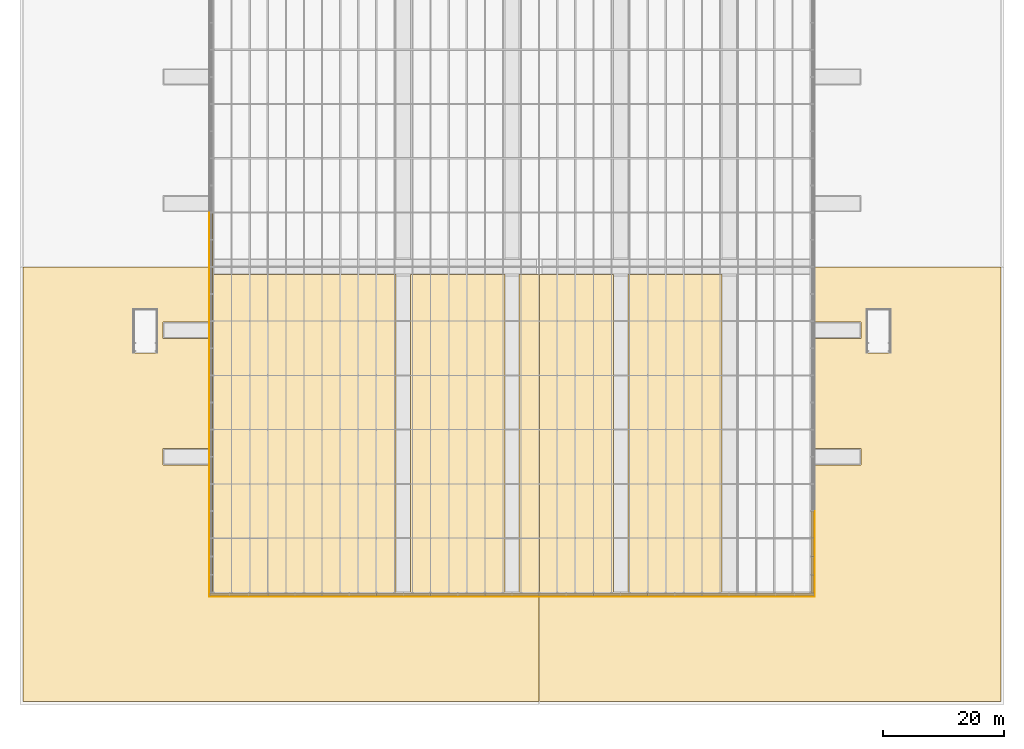
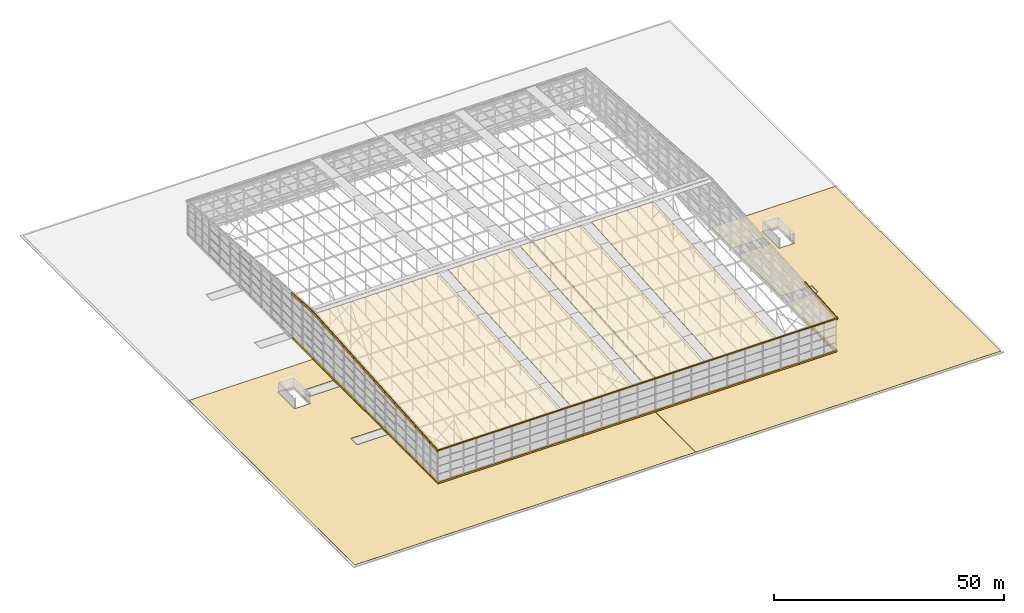
# One storey, part 82 of 84: 67 coverings.
"""IFC4 building model written with IfcOpenShell, lengths in metres."""

from ifc_helpers import new_model, si_unit, direction, frame, origin, place, context, subcontext, project, spatial, polyline, outline, extrude, material, layer, layer_set, type_object, element, save


model = new_model("IFC4")

# Units and contexts
model_context = context("Model", 3, precision=1e-05, world=origin(), true_north=direction((0.0, 1.0)))
body_context = subcontext(model_context, "Body", "Model", "MODEL_VIEW")
ifc_project = project(units=[si_unit("LENGTHUNIT", "METRE"), si_unit("AREAUNIT", "SQUARE_METRE"), si_unit("VOLUMEUNIT", "CUBIC_METRE"), si_unit("PLANEANGLEUNIT", "RADIAN"), si_unit("MASSUNIT", "GRAM", prefix="KILO")], contexts=[model_context])

# Site, building, storey
site_placement = place(None, origin())
site = spatial("IfcSite", under=ifc_project, at=site_placement, CompositionType="ELEMENT")
building_placement = place(site_placement, origin())
building = spatial("IfcBuilding", under=site, at=building_placement, Name="Silverbay Arena", CompositionType="ELEMENT")
storey_placement = place(building_placement, frame((0.0, 0.0, 47.10009765625)))
storey = spatial("IfcBuildingStorey", under=building, at=storey_placement, Name="ROOF", CompositionType="ELEMENT", Elevation=47.10009765625)

# Coverings
ifc_material_1 = material(Name="Insulated metal curb")
ifc_layer_1 = layer(ifc_material_1, 0.449951171875)
ifc_layer_set_1 = layer_set([ifc_layer_1], Name="Insulated metal curb")
covering_type_1 = type_object("IfcCoveringType", Name="Crown glazing curb 450", PredefinedType="CLADDING", material=ifc_layer_set_1)
covering_1_placement = place(storey_placement, origin())
element("IfcCovering", 1, at=covering_1_placement, inside=storey, type_object=covering_type_1, Name="CROWN GLAZING CURB south 01", PredefinedType="CLADDING", context=body_context, shape_type="SweptSolid", body=[
    extrude(outline(polyline([(80.425048828125, 26.425048828125), (90.0, 26.425048828125), (90.0, 26.875), (80.425048828125, 26.875), (80.425048828125, 26.425048828125)])), origin(), (0.0, 0.0, 1.0), 0.449951171875),
])
covering_2_placement = place(storey_placement, origin())
element("IfcCovering", 2, at=covering_2_placement, inside=storey, type_object=covering_type_1, Name="CROWN GLAZING CURB south 02", PredefinedType="CLADDING", context=body_context, shape_type="SweptSolid", body=[
    extrude(outline(polyline([(90.0, 26.425048828125), (99.0, 26.425048828125), (99.0, 26.875), (90.0, 26.875), (90.0, 26.425048828125)])), origin(), (0.0, 0.0, 1.0), 0.449951171875),
])
covering_3_placement = place(storey_placement, origin())
element("IfcCovering", 3, at=covering_3_placement, inside=storey, type_object=covering_type_1, Name="CROWN GLAZING CURB south 03", PredefinedType="CLADDING", context=body_context, shape_type="SweptSolid", body=[
    extrude(outline(polyline([(99.0, 26.425048828125), (108.0, 26.425048828125), (108.0, 26.875), (99.0, 26.875), (99.0, 26.425048828125)])), origin(), (0.0, 0.0, 1.0), 0.449951171875),
])
covering_4_placement = place(storey_placement, origin())
element("IfcCovering", 4, at=covering_4_placement, inside=storey, type_object=covering_type_1, Name="CROWN GLAZING CURB south 04", PredefinedType="CLADDING", context=body_context, shape_type="SweptSolid", body=[
    extrude(outline(polyline([(108.0, 26.425048828125), (117.0, 26.425048828125), (117.0, 26.875), (108.0, 26.875), (108.0, 26.425048828125)])), origin(), (0.0, 0.0, 1.0), 0.449951171875),
])
covering_5_placement = place(storey_placement, origin())
element("IfcCovering", 5, at=covering_5_placement, inside=storey, type_object=covering_type_1, Name="CROWN GLAZING CURB south 05", PredefinedType="CLADDING", context=body_context, shape_type="SweptSolid", body=[
    extrude(outline(polyline([(117.0, 26.425048828125), (126.0, 26.425048828125), (126.0, 26.875), (117.0, 26.875), (117.0, 26.425048828125)])), origin(), (0.0, 0.0, 1.0), 0.449951171875),
])
covering_6_placement = place(storey_placement, origin())
element("IfcCovering", 6, at=covering_6_placement, inside=storey, type_object=covering_type_1, Name="CROWN GLAZING CURB south 06", PredefinedType="CLADDING", context=body_context, shape_type="SweptSolid", body=[
    extrude(outline(polyline([(126.0, 26.425048828125), (135.0, 26.425048828125), (135.0, 26.875), (126.0, 26.875), (126.0, 26.425048828125)])), origin(), (0.0, 0.0, 1.0), 0.449951171875),
])
covering_7_placement = place(storey_placement, origin())
element("IfcCovering", 7, at=covering_7_placement, inside=storey, type_object=covering_type_1, Name="CROWN GLAZING CURB south 07", PredefinedType="CLADDING", context=body_context, shape_type="SweptSolid", body=[
    extrude(outline(polyline([(135.0, 26.425048828125), (144.0, 26.425048828125), (144.0, 26.875), (135.0, 26.875), (135.0, 26.425048828125)])), origin(), (0.0, 0.0, 1.0), 0.449951171875),
])
covering_8_placement = place(storey_placement, origin())
element("IfcCovering", 8, at=covering_8_placement, inside=storey, type_object=covering_type_1, Name="CROWN GLAZING CURB south 08", PredefinedType="CLADDING", context=body_context, shape_type="SweptSolid", body=[
    extrude(outline(polyline([(144.0, 26.425048828125), (153.0, 26.425048828125), (153.0, 26.875), (144.0, 26.875), (144.0, 26.425048828125)])), origin(), (0.0, 0.0, 1.0), 0.449951171875),
])
covering_9_placement = place(storey_placement, origin())
element("IfcCovering", 9, at=covering_9_placement, inside=storey, type_object=covering_type_1, Name="CROWN GLAZING CURB south 09", PredefinedType="CLADDING", context=body_context, shape_type="SweptSolid", body=[
    extrude(outline(polyline([(153.0, 26.425048828125), (162.0, 26.425048828125), (162.0, 26.875), (153.0, 26.875), (153.0, 26.425048828125)])), origin(), (0.0, 0.0, 1.0), 0.449951171875),
])
covering_10_placement = place(storey_placement, origin())
element("IfcCovering", 10, at=covering_10_placement, inside=storey, type_object=covering_type_1, Name="CROWN GLAZING CURB south 10", PredefinedType="CLADDING", context=body_context, shape_type="SweptSolid", body=[
    extrude(outline(polyline([(162.0, 26.425048828125), (171.0, 26.425048828125), (171.0, 26.875), (162.0, 26.875), (162.0, 26.425048828125)])), origin(), (0.0, 0.0, 1.0), 0.449951171875),
])
covering_11_placement = place(storey_placement, origin())
element("IfcCovering", 11, at=covering_11_placement, inside=storey, type_object=covering_type_1, Name="CROWN GLAZING CURB south 11", PredefinedType="CLADDING", context=body_context, shape_type="SweptSolid", body=[
    extrude(outline(polyline([(171.0, 26.425048828125), (180.574951171875, 26.425048828125), (180.574951171875, 26.875), (171.0, 26.875), (171.0, 26.425048828125)])), origin(), (0.0, 0.0, 1.0), 0.449951171875),
])
covering_12_placement = place(storey_placement, origin())
element("IfcCovering", 12, at=covering_12_placement, inside=storey, type_object=covering_type_1, Name="CROWN GLAZING CURB west 01", PredefinedType="CLADDING", context=body_context, shape_type="SweptSolid", body=[
    extrude(outline(polyline([(80.425048828125, 26.875), (80.875, 26.875), (80.875, 29.916748046875), (80.425048828125, 29.916748046875), (80.425048828125, 26.875)])), origin(), (0.0, 0.0, 1.0), 0.449951171875),
])
covering_13_placement = place(storey_placement, origin())
element("IfcCovering", 13, at=covering_13_placement, inside=storey, type_object=covering_type_1, Name="CROWN GLAZING CURB west 02", PredefinedType="CLADDING", context=body_context, shape_type="SweptSolid", body=[
    extrude(outline(polyline([(80.425048828125, 29.916748046875), (80.875, 29.916748046875), (80.875, 32.958251953125), (80.425048828125, 32.958251953125), (80.425048828125, 29.916748046875)])), origin(), (0.0, 0.0, 1.0), 0.449951171875),
])
covering_14_placement = place(storey_placement, origin())
element("IfcCovering", 14, at=covering_14_placement, inside=storey, type_object=covering_type_1, Name="CROWN GLAZING CURB west 03", PredefinedType="CLADDING", context=body_context, shape_type="SweptSolid", body=[
    extrude(outline(polyline([(80.425048828125, 32.958251953125), (80.875, 32.958251953125), (80.875, 36.0), (80.425048828125, 36.0), (80.425048828125, 32.958251953125)])), origin(), (0.0, 0.0, 1.0), 0.449951171875),
])
covering_15_placement = place(storey_placement, origin())
element("IfcCovering", 15, at=covering_15_placement, inside=storey, type_object=covering_type_1, Name="CROWN GLAZING CURB west 04", PredefinedType="CLADDING", context=body_context, shape_type="SweptSolid", body=[
    extrude(outline(polyline([(80.425048828125, 36.0), (80.875, 36.0), (80.875, 40.5), (80.425048828125, 40.5), (80.425048828125, 36.0)])), origin(), (0.0, 0.0, 1.0), 0.449951171875),
])
covering_16_placement = place(storey_placement, origin())
element("IfcCovering", 16, at=covering_16_placement, inside=storey, type_object=covering_type_1, Name="CROWN GLAZING CURB west 05", PredefinedType="CLADDING", context=body_context, shape_type="SweptSolid", body=[
    extrude(outline(polyline([(80.425048828125, 40.5), (80.875, 40.5), (80.875, 45.0), (80.425048828125, 45.0), (80.425048828125, 40.5)])), origin(), (0.0, 0.0, 1.0), 0.449951171875),
])
covering_17_placement = place(storey_placement, origin())
element("IfcCovering", 17, at=covering_17_placement, inside=storey, type_object=covering_type_1, Name="CROWN GLAZING CURB west 06", PredefinedType="CLADDING", context=body_context, shape_type="SweptSolid", body=[
    extrude(outline(polyline([(80.425048828125, 45.0), (80.875, 45.0), (80.875, 49.5), (80.425048828125, 49.5), (80.425048828125, 45.0)])), origin(), (0.0, 0.0, 1.0), 0.449951171875),
])
covering_18_placement = place(storey_placement, origin())
element("IfcCovering", 18, at=covering_18_placement, inside=storey, type_object=covering_type_1, Name="CROWN GLAZING CURB west 07", PredefinedType="CLADDING", context=body_context, shape_type="SweptSolid", body=[
    extrude(outline(polyline([(80.425048828125, 49.5), (80.875, 49.5), (80.875, 54.0), (80.425048828125, 54.0), (80.425048828125, 49.5)])), origin(), (0.0, 0.0, 1.0), 0.449951171875),
])
covering_19_placement = place(storey_placement, origin())
element("IfcCovering", 19, at=covering_19_placement, inside=storey, type_object=covering_type_1, Name="CROWN GLAZING CURB west 08", PredefinedType="CLADDING", context=body_context, shape_type="SweptSolid", body=[
    extrude(outline(polyline([(80.425048828125, 54.0), (80.875, 54.0), (80.875, 58.5), (80.425048828125, 58.5), (80.425048828125, 54.0)])), origin(), (0.0, 0.0, 1.0), 0.449951171875),
])
covering_20_placement = place(storey_placement, origin())
element("IfcCovering", 20, at=covering_20_placement, inside=storey, type_object=covering_type_1, Name="CROWN GLAZING CURB west 09", PredefinedType="CLADDING", context=body_context, shape_type="SweptSolid", body=[
    extrude(outline(polyline([(80.425048828125, 58.5), (80.875, 58.5), (80.875, 63.0), (80.425048828125, 63.0), (80.425048828125, 58.5)])), origin(), (0.0, 0.0, 1.0), 0.449951171875),
])
covering_21_placement = place(storey_placement, origin())
element("IfcCovering", 21, at=covering_21_placement, inside=storey, type_object=covering_type_1, Name="CROWN GLAZING CURB west 10", PredefinedType="CLADDING", context=body_context, shape_type="SweptSolid", body=[
    extrude(outline(polyline([(80.425048828125, 63.0), (80.875, 63.0), (80.875, 67.5), (80.425048828125, 67.5), (80.425048828125, 63.0)])), origin(), (0.0, 0.0, 1.0), 0.449951171875),
])
covering_22_placement = place(storey_placement, origin())
element("IfcCovering", 22, at=covering_22_placement, inside=storey, type_object=covering_type_1, Name="CROWN GLAZING CURB west 11", PredefinedType="CLADDING", context=body_context, shape_type="SweptSolid", body=[
    extrude(outline(polyline([(80.425048828125, 67.5), (80.875, 67.5), (80.875, 72.0), (80.425048828125, 72.0), (80.425048828125, 67.5)])), origin(), (0.0, 0.0, 1.0), 0.449951171875),
])
covering_23_placement = place(storey_placement, origin())
element("IfcCovering", 23, at=covering_23_placement, inside=storey, type_object=covering_type_1, Name="CROWN GLAZING CURB west 12", PredefinedType="CLADDING", context=body_context, shape_type="SweptSolid", body=[
    extrude(outline(polyline([(80.425048828125, 72.0), (80.875, 72.0), (80.875, 76.5), (80.425048828125, 76.5), (80.425048828125, 72.0)])), origin(), (0.0, 0.0, 1.0), 0.449951171875),
])
covering_24_placement = place(storey_placement, origin())
element("IfcCovering", 24, at=covering_24_placement, inside=storey, type_object=covering_type_1, Name="CROWN GLAZING CURB west 13", PredefinedType="CLADDING", context=body_context, shape_type="SweptSolid", body=[
    extrude(outline(polyline([(80.425048828125, 76.5), (80.875, 76.5), (80.875, 81.0), (80.425048828125, 81.0), (80.425048828125, 76.5)])), origin(), (0.0, 0.0, 1.0), 0.449951171875),
])
covering_25_placement = place(storey_placement, origin())
element("IfcCovering", 25, at=covering_25_placement, inside=storey, type_object=covering_type_1, Name="CROWN GLAZING CURB west 14", PredefinedType="CLADDING", context=body_context, shape_type="SweptSolid", body=[
    extrude(outline(polyline([(80.425048828125, 81.0), (80.875, 81.0), (80.875, 85.5), (80.425048828125, 85.5), (80.425048828125, 81.0)])), origin(), (0.0, 0.0, 1.0), 0.449951171875),
])
covering_26_placement = place(storey_placement, origin())
element("IfcCovering", 26, at=covering_26_placement, inside=storey, type_object=covering_type_1, Name="CROWN GLAZING CURB west 15", PredefinedType="CLADDING", context=body_context, shape_type="SweptSolid", body=[
    extrude(outline(polyline([(80.425048828125, 85.5), (80.875, 85.5), (80.875, 90.0), (80.425048828125, 90.0), (80.425048828125, 85.5)])), origin(), (0.0, 0.0, 1.0), 0.449951171875),
])
covering_27_placement = place(storey_placement, origin())
element("IfcCovering", 27, at=covering_27_placement, inside=storey, type_object=covering_type_1, Name="CROWN GLAZING CURB east 01", PredefinedType="CLADDING", context=body_context, shape_type="SweptSolid", body=[
    extrude(outline(polyline([(180.125, 26.875), (180.574951171875, 26.875), (180.574951171875, 29.916748046875), (180.125, 29.916748046875), (180.125, 26.875)])), origin(), (0.0, 0.0, 1.0), 0.449951171875),
])
covering_28_placement = place(storey_placement, origin())
element("IfcCovering", 28, at=covering_28_placement, inside=storey, type_object=covering_type_1, Name="CROWN GLAZING CURB east 02", PredefinedType="CLADDING", context=body_context, shape_type="SweptSolid", body=[
    extrude(outline(polyline([(180.125, 29.916748046875), (180.574951171875, 29.916748046875), (180.574951171875, 32.958251953125), (180.125, 32.958251953125), (180.125, 29.916748046875)])), origin(), (0.0, 0.0, 1.0), 0.449951171875),
])
covering_29_placement = place(storey_placement, origin())
element("IfcCovering", 29, at=covering_29_placement, inside=storey, type_object=covering_type_1, Name="CROWN GLAZING CURB east 03", PredefinedType="CLADDING", context=body_context, shape_type="SweptSolid", body=[
    extrude(outline(polyline([(180.125, 32.958251953125), (180.574951171875, 32.958251953125), (180.574951171875, 36.0), (180.125, 36.0), (180.125, 32.958251953125)])), origin(), (0.0, 0.0, 1.0), 0.449951171875),
])
covering_30_placement = place(storey_placement, origin())
element("IfcCovering", 30, at=covering_30_placement, inside=storey, type_object=covering_type_1, Name="CROWN GLAZING CURB east 04", PredefinedType="CLADDING", context=body_context, shape_type="SweptSolid", body=[
    extrude(outline(polyline([(180.125, 36.0), (180.574951171875, 36.0), (180.574951171875, 40.5), (180.125, 40.5), (180.125, 36.0)])), origin(), (0.0, 0.0, 1.0), 0.449951171875),
])
ifc_material_2 = material(Name="Insulated metal cladding panel")
ifc_layer_2 = layer(ifc_material_2, 0.14990234375)
ifc_layer_set_2 = layer_set([ifc_layer_2], Name="Insulated metal cladding panel")
covering_type_2 = type_object("IfcCoveringType", Name="Crown lid fascia 150", PredefinedType="CLADDING", material=ifc_layer_set_2)
covering_31_placement = place(storey_placement, frame((0.0, 0.0, 8.85302734375)))
element("IfcCovering", 31, at=covering_31_placement, inside=storey, type_object=covering_type_2, Name="CROWN LID FASCIA south 01", PredefinedType="CLADDING", context=body_context, shape_type="SweptSolid", body=[
    extrude(outline(polyline([(80.27490234375, 26.27490234375), (90.0, 26.27490234375), (90.0, 26.425048828125), (80.27490234375, 26.425048828125), (80.27490234375, 26.27490234375)])), origin(), (0.0, 0.0, 1.0), 0.300048828125),
])
covering_32_placement = place(storey_placement, frame((0.0, 0.0, 8.85302734375)))
element("IfcCovering", 32, at=covering_32_placement, inside=storey, type_object=covering_type_2, Name="CROWN LID FASCIA south 02", PredefinedType="CLADDING", context=body_context, shape_type="SweptSolid", body=[
    extrude(outline(polyline([(90.0, 26.27490234375), (99.0, 26.27490234375), (99.0, 26.425048828125), (90.0, 26.425048828125), (90.0, 26.27490234375)])), origin(), (0.0, 0.0, 1.0), 0.300048828125),
])
covering_33_placement = place(storey_placement, frame((0.0, 0.0, 8.85302734375)))
element("IfcCovering", 33, at=covering_33_placement, inside=storey, type_object=covering_type_2, Name="CROWN LID FASCIA south 03", PredefinedType="CLADDING", context=body_context, shape_type="SweptSolid", body=[
    extrude(outline(polyline([(99.0, 26.27490234375), (108.0, 26.27490234375), (108.0, 26.425048828125), (99.0, 26.425048828125), (99.0, 26.27490234375)])), origin(), (0.0, 0.0, 1.0), 0.300048828125),
])
covering_34_placement = place(storey_placement, frame((0.0, 0.0, 8.85302734375)))
element("IfcCovering", 34, at=covering_34_placement, inside=storey, type_object=covering_type_2, Name="CROWN LID FASCIA south 04", PredefinedType="CLADDING", context=body_context, shape_type="SweptSolid", body=[
    extrude(outline(polyline([(108.0, 26.27490234375), (117.0, 26.27490234375), (117.0, 26.425048828125), (108.0, 26.425048828125), (108.0, 26.27490234375)])), origin(), (0.0, 0.0, 1.0), 0.300048828125),
])
covering_35_placement = place(storey_placement, frame((0.0, 0.0, 8.85302734375)))
element("IfcCovering", 35, at=covering_35_placement, inside=storey, type_object=covering_type_2, Name="CROWN LID FASCIA south 05", PredefinedType="CLADDING", context=body_context, shape_type="SweptSolid", body=[
    extrude(outline(polyline([(117.0, 26.27490234375), (126.0, 26.27490234375), (126.0, 26.425048828125), (117.0, 26.425048828125), (117.0, 26.27490234375)])), origin(), (0.0, 0.0, 1.0), 0.300048828125),
])
covering_36_placement = place(storey_placement, frame((0.0, 0.0, 8.85302734375)))
element("IfcCovering", 36, at=covering_36_placement, inside=storey, type_object=covering_type_2, Name="CROWN LID FASCIA south 06", PredefinedType="CLADDING", context=body_context, shape_type="SweptSolid", body=[
    extrude(outline(polyline([(126.0, 26.27490234375), (135.0, 26.27490234375), (135.0, 26.425048828125), (126.0, 26.425048828125), (126.0, 26.27490234375)])), origin(), (0.0, 0.0, 1.0), 0.300048828125),
])
covering_37_placement = place(storey_placement, frame((0.0, 0.0, 8.85302734375)))
element("IfcCovering", 37, at=covering_37_placement, inside=storey, type_object=covering_type_2, Name="CROWN LID FASCIA south 07", PredefinedType="CLADDING", context=body_context, shape_type="SweptSolid", body=[
    extrude(outline(polyline([(135.0, 26.27490234375), (144.0, 26.27490234375), (144.0, 26.425048828125), (135.0, 26.425048828125), (135.0, 26.27490234375)])), origin(), (0.0, 0.0, 1.0), 0.300048828125),
])
covering_38_placement = place(storey_placement, frame((0.0, 0.0, 8.85302734375)))
element("IfcCovering", 38, at=covering_38_placement, inside=storey, type_object=covering_type_2, Name="CROWN LID FASCIA south 08", PredefinedType="CLADDING", context=body_context, shape_type="SweptSolid", body=[
    extrude(outline(polyline([(144.0, 26.27490234375), (153.0, 26.27490234375), (153.0, 26.425048828125), (144.0, 26.425048828125), (144.0, 26.27490234375)])), origin(), (0.0, 0.0, 1.0), 0.300048828125),
])
covering_39_placement = place(storey_placement, frame((0.0, 0.0, 8.85302734375)))
element("IfcCovering", 39, at=covering_39_placement, inside=storey, type_object=covering_type_2, Name="CROWN LID FASCIA south 09", PredefinedType="CLADDING", context=body_context, shape_type="SweptSolid", body=[
    extrude(outline(polyline([(153.0, 26.27490234375), (162.0, 26.27490234375), (162.0, 26.425048828125), (153.0, 26.425048828125), (153.0, 26.27490234375)])), origin(), (0.0, 0.0, 1.0), 0.300048828125),
])
covering_40_placement = place(storey_placement, frame((0.0, 0.0, 8.85302734375)))
element("IfcCovering", 40, at=covering_40_placement, inside=storey, type_object=covering_type_2, Name="CROWN LID FASCIA south 10", PredefinedType="CLADDING", context=body_context, shape_type="SweptSolid", body=[
    extrude(outline(polyline([(162.0, 26.27490234375), (171.0, 26.27490234375), (171.0, 26.425048828125), (162.0, 26.425048828125), (162.0, 26.27490234375)])), origin(), (0.0, 0.0, 1.0), 0.300048828125),
])
covering_41_placement = place(storey_placement, frame((0.0, 0.0, 8.85302734375)))
element("IfcCovering", 41, at=covering_41_placement, inside=storey, type_object=covering_type_2, Name="CROWN LID FASCIA south 11", PredefinedType="CLADDING", context=body_context, shape_type="SweptSolid", body=[
    extrude(outline(polyline([(171.0, 26.27490234375), (180.72509765625, 26.27490234375), (180.72509765625, 26.425048828125), (171.0, 26.425048828125), (171.0, 26.27490234375)])), origin(), (0.0, 0.0, 1.0), 0.300048828125),
])
covering_42_placement = place(storey_placement, frame((80.425048828125, 26.425048828125, 8.45849609375), z_axis=(1.0, 0.0, 0.0), x_axis=(0.0, 0.997406752656, 0.071970617308)))
element("IfcCovering", 42, at=covering_42_placement, inside=storey, type_object=covering_type_2, Name="CROWN LID FASCIA west 01", PredefinedType="CLADDING", context=body_context, shape_type="SweptSolid", body=[
    extrude(outline(polyline([(0.0, 0.0), (3.5007776009647666, 0.0), (3.551171089841669, 0.698379532865752), (0.05037591792541103, 0.6981360253577794), (0.0, 0.0)])), origin(), (0.0, 0.0, -1.0), 0.14990234375),
])
covering_43_placement = place(storey_placement, frame((80.425048828125, 29.916748046875, 8.71044921875), z_axis=(1.0, 0.0, 0.0), x_axis=(0.0, 0.997400663641, 0.072054952422)))
element("IfcCovering", 43, at=covering_43_placement, inside=storey, type_object=covering_type_2, Name="CROWN LID FASCIA west 02", PredefinedType="CLADDING", context=body_context, shape_type="SweptSolid", body=[
    extrude(outline(polyline([(0.0, 0.0), (3.049430401567164, -5.551115123125783e-17), (3.099865349954542, 0.6981317633443908), (0.05045253992849645, 0.6983752693657874), (0.0, 0.0)])), origin(), (0.0, 0.0, -1.0), 0.14990234375),
])
covering_44_placement = place(storey_placement, frame((80.425048828125, 32.958251953125, 8.93017578125), z_axis=(1.0, 0.0, 0.0), x_axis=(0.0, 0.997401079261, 0.07204919908)))
element("IfcCovering", 44, at=covering_44_placement, inside=storey, type_object=covering_type_2, Name="CROWN LID FASCIA west 03", PredefinedType="CLADDING", context=body_context, shape_type="SweptSolid", body=[
    extrude(outline(polyline([(0.0, 0.0), (3.0496739076392982, 0.0), (3.100104828967865, 0.6981320542584604), (0.050430921328566844, 0.6981320542584603), (0.0, 0.0)])), origin(), (0.0, 0.0, -1.0), 0.14990234375),
])
covering_45_placement = place(storey_placement, frame((80.425048828125, 36.0, 9.14990234375), z_axis=(1.0, 0.0, 0.0), x_axis=(0.0, 0.997402911363, 0.072023832195)))
element("IfcCovering", 45, at=covering_45_placement, inside=storey, type_object=covering_type_2, Name="CROWN LID FASCIA west 04", PredefinedType="CLADDING", context=body_context, shape_type="SweptSolid", body=[
    extrude(outline(polyline([(0.0, 0.0), (4.511717329809453, 0.0), (4.562130495557509, 0.6981333366402473), (0.05041316574805606, 0.6981333366402473), (0.0, 0.0)])), origin(), (0.0, 0.0, -1.0), 0.14990234375),
])
covering_46_placement = place(storey_placement, frame((80.425048828125, 40.5, 9.474853515625), z_axis=(1.0, 0.0, 0.0), x_axis=(0.0, 0.997402911363, 0.072023832195)))
element("IfcCovering", 46, at=covering_46_placement, inside=storey, type_object=covering_type_2, Name="CROWN LID FASCIA west 05", PredefinedType="CLADDING", context=body_context, shape_type="SweptSolid", body=[
    extrude(outline(polyline([(0.0, 0.0), (4.511717329809453, 0.0), (4.562148079500916, 0.6983768432104045), (0.05041316574805606, 0.6981333366402473), (0.0, 0.0)])), origin(), (0.0, 0.0, -1.0), 0.14990234375),
])
covering_47_placement = place(storey_placement, frame((80.425048828125, 45.0, 9.7998046875), z_axis=(1.0, 0.0, 0.0), x_axis=(0.0, 0.997399022653, 0.072077663746)))
element("IfcCovering", 47, at=covering_47_placement, inside=storey, type_object=covering_type_2, Name="CROWN LID FASCIA west 06", PredefinedType="CLADDING", context=body_context, shape_type="SweptSolid", body=[
    extrude(outline(polyline([(0.0, 0.0), (4.511734920324107, 0.0), (4.56218576552941, 0.6981306147328424), (0.05046844229117865, 0.6983741203536072), (0.0, 0.0)])), origin(), (0.0, 0.0, -1.0), 0.14990234375),
])
for number, where, z_axis, x_axis, name in (
    (48, (80.425048828125, 49.5, 10.125), (1.0, 0.0, 0.0), (0.0, 0.997402911363, 0.072023832195), "CROWN LID FASCIA west 07"),
    (49, (80.425048828125, 54.0, 10.449951171875), (1.0, 0.0, 0.0), (0.0, 0.997402911363, 0.072023832195), "CROWN LID FASCIA west 08"),
    (50, (80.425048828125, 58.5, 10.77490234375), (1.0, 0.0, 0.0), (0.0, 0.997402911363, 0.072023832195), "CROWN LID FASCIA west 09"),
):
    element("IfcCovering", number, at=place(storey_placement, frame(where, z_axis=z_axis, x_axis=x_axis)), inside=storey, type_object=covering_type_2, Name=name, PredefinedType="CLADDING", context=body_context, shape_type="SweptSolid", body=[
        extrude(outline(polyline([(0.0, 0.0), (4.511717329809453, 0.0), (4.562130495557509, 0.6981333366402473), (0.05041316574805606, 0.6981333366402473), (0.0, 0.0)])), origin(), (0.0, 0.0, -1.0), 0.14990234375),
    ])
covering_48_placement = place(storey_placement, frame((80.425048828125, 63.0, 11.099853515625), z_axis=(1.0, 0.0, 0.0), x_axis=(0.0, 0.997402911363, 0.072023832195)))
element("IfcCovering", 51, at=covering_48_placement, inside=storey, type_object=covering_type_2, Name="CROWN LID FASCIA west 10", PredefinedType="CLADDING", context=body_context, shape_type="SweptSolid", body=[
    extrude(outline(polyline([(0.0, 0.0), (4.511717329809453, 0.0), (4.562148079500916, 0.6983768432104045), (0.05041316574805606, 0.6981333366402473), (0.0, 0.0)])), origin(), (0.0, 0.0, -1.0), 0.14990234375),
])
covering_49_placement = place(storey_placement, frame((80.425048828125, 67.5, 11.4248046875), z_axis=(1.0, 0.0, 0.0), x_axis=(0.0, 0.997399022653, 0.072077663746)))
element("IfcCovering", 52, at=covering_49_placement, inside=storey, type_object=covering_type_2, Name="CROWN LID FASCIA west 11", PredefinedType="CLADDING", context=body_context, shape_type="SweptSolid", body=[
    extrude(outline(polyline([(0.0, 0.0), (4.511734920324107, 0.0), (4.56218576552941, 0.6981306147328424), (0.05046844229117865, 0.6983741203536072), (0.0, 0.0)])), origin(), (0.0, 0.0, -1.0), 0.14990234375),
])
for number, where, z_axis, x_axis, name in (
    (53, (80.425048828125, 72.0, 11.75), (1.0, 0.0, 0.0), (0.0, 0.997402911363, 0.072023832195), "CROWN LID FASCIA west 12"),
    (54, (80.425048828125, 76.5, 12.074951171875), (1.0, 0.0, 0.0), (0.0, 0.997402911363, 0.072023832195), "CROWN LID FASCIA west 13"),
):
    element("IfcCovering", number, at=place(storey_placement, frame(where, z_axis=z_axis, x_axis=x_axis)), inside=storey, type_object=covering_type_2, Name=name, PredefinedType="CLADDING", context=body_context, shape_type="SweptSolid", body=[
        extrude(outline(polyline([(0.0, 0.0), (4.511717329809453, 0.0), (4.562130495557509, 0.6981333366402473), (0.05041316574805606, 0.6981333366402473), (0.0, 0.0)])), origin(), (0.0, 0.0, -1.0), 0.14990234375),
    ])
for number, where, z_axis, x_axis, name in (
    (55, (80.425048828125, 81.0, 12.39990234375), (1.0, 0.0, 0.0), (0.0, 0.997402911363, -0.072023832195), "CROWN LID FASCIA west 14"),
    (56, (80.425048828125, 85.5, 12.074951171875), (1.0, 0.0, 0.0), (0.0, 0.997402911363, -0.072023832195), "CROWN LID FASCIA west 15"),
):
    element("IfcCovering", number, at=place(storey_placement, frame(where, z_axis=z_axis, x_axis=x_axis)), inside=storey, type_object=covering_type_2, Name=name, PredefinedType="CLADDING", context=body_context, shape_type="SweptSolid", body=[
        extrude(outline(polyline([(0.0, 0.0), (4.511717329809453, 0.0), (4.461304164061397, 0.6981333366402473), (-0.05041316574805606, 0.6981333366402473), (0.0, 0.0)])), origin(), (0.0, 0.0, -1.0), 0.14990234375),
    ])
covering_50_placement = place(storey_placement, frame((180.574951171875, 26.425048828125, 9.158447265625), z_axis=(-1.0, 0.0, 0.0), x_axis=(0.0, 0.997401744128, 0.072039994524)))
element("IfcCovering", 57, at=covering_50_placement, inside=storey, type_object=covering_type_2, Name="CROWN LID FASCIA east 01", PredefinedType="CLADDING", context=body_context, shape_type="SweptSolid", body=[
    extrude(outline(polyline([(0.0, 0.0), (3.500795180385178, 5.551115123125783e-17), (3.450353113906866, 0.6983760259175356), (-0.050424478589023616, 0.6981325196323481), (0.0, 0.0)])), origin(), (0.0, 0.0, -1.0), 0.14990234375),
])
covering_51_placement = place(storey_placement, frame((180.574951171875, 29.916748046875, 9.41064453125), z_axis=(-1.0, 0.0, 0.0), x_axis=(0.0, 0.997406414295, 0.071975306345)))
element("IfcCovering", 58, at=covering_51_placement, inside=storey, type_object=covering_type_2, Name="CROWN LID FASCIA east 02", PredefinedType="CLADDING", context=body_context, shape_type="SweptSolid", body=[
    extrude(outline(polyline([(0.0, 0.0), (3.0494128197484387, -2.7755575615628914e-17), (2.99903361972591, 0.6981357885213133), (-0.05039677211880428, 0.6983792959466782), (0.0, 0.0)])), origin(), (0.0, 0.0, -1.0), 0.14990234375),
])
covering_52_placement = place(storey_placement, frame((180.574951171875, 32.958251953125, 9.630126953125), z_axis=(-1.0, 0.0, 0.0), x_axis=(0.0, 0.997401079261, 0.07204919908)))
element("IfcCovering", 59, at=covering_52_placement, inside=storey, type_object=covering_type_2, Name="CROWN LID FASCIA east 03", PredefinedType="CLADDING", context=body_context, shape_type="SweptSolid", body=[
    extrude(outline(polyline([(0.0, 0.0), (3.0496739076392982, 0.0), (2.999242986310731, 0.6981320542584604), (-0.050430921328566844, 0.6981320542584603), (0.0, 0.0)])), origin(), (0.0, 0.0, -1.0), 0.14990234375),
])
covering_53_placement = place(storey_placement, frame((180.574951171875, 36.0, 9.849853515625), z_axis=(-1.0, 0.0, 0.0), x_axis=(0.0, 0.997402911363, 0.072023832195)))
element("IfcCovering", 60, at=covering_53_placement, inside=storey, type_object=covering_type_2, Name="CROWN LID FASCIA east 04", PredefinedType="CLADDING", context=body_context, shape_type="SweptSolid", body=[
    extrude(outline(polyline([(0.0, 0.0), (4.511717329809453, 0.0), (4.461304164061397, 0.6981333366402473), (-0.05041316574805606, 0.6981333366402473), (0.0, 0.0)])), origin(), (0.0, 0.0, -1.0), 0.14990234375),
])
ifc_material_3 = material(Name="Bituminous roofing membrane")
ifc_layer_3 = layer(ifc_material_3, 0.050048828125)
ifc_layer_set_3 = layer_set([ifc_layer_3], Name="Bituminous roofing membrane")
covering_type_3 = type_object("IfcCoveringType", Name="Crown lid membrane 50", PredefinedType="ROOFING", material=ifc_layer_set_3)
covering_54_placement = place(storey_placement, frame((80.425048828125, 26.425048828125, 9.1591796875), z_axis=(0.0, -0.072035053259, 0.997402101011), x_axis=(1.0, 0.0, 0.0)))
element("IfcCovering", 61, at=covering_54_placement, inside=storey, type_object=covering_type_3, Name="ROOFING crown lid south 03", PredefinedType="ROOFING", context=body_context, shape_type="SweptSolid", body=[
    extrude(outline(polyline([(0.0, 0.0), (30.875, 0.0), (30.875, 53.41366565172496), (0.0, 53.41366565172496), (0.0, 0.0)])), origin(), (0.0, 0.0, -1.0), 0.050048828125),
])
covering_55_placement = place(storey_placement, frame((113.699951171875, 26.425048828125, 9.1591796875), z_axis=(0.0, -0.072035053259, 0.997402101011), x_axis=(1.0, 0.0, 0.0)))
element("IfcCovering", 62, at=covering_55_placement, inside=storey, type_object=covering_type_3, Name="ROOFING crown lid south 04", PredefinedType="ROOFING", context=body_context, shape_type="SweptSolid", body=[
    extrude(outline(polyline([(0.0, 0.0), (15.60009765625, 0.0), (15.60009765625, 53.413665651724955), (0.0, 53.413665651724955), (0.0, 0.0)])), origin(), (0.0, 0.0, -1.0), 0.050048828125),
])
covering_56_placement = place(storey_placement, frame((131.699951171875, 26.425048828125, 9.1591796875), z_axis=(0.0, -0.072035053259, 0.997402101011), x_axis=(1.0, 0.0, 0.0)))
element("IfcCovering", 63, at=covering_56_placement, inside=storey, type_object=covering_type_3, Name="ROOFING crown lid south 05", PredefinedType="ROOFING", context=body_context, shape_type="SweptSolid", body=[
    extrude(outline(polyline([(0.0, 0.0), (3.255126953125, 0.0), (3.255126953125, 53.41366565172496), (0.0, 53.41366565172496), (0.0, 0.0)])), origin(), (0.0, 0.0, -1.0), 0.050048828125),
])
covering_57_placement = place(storey_placement, frame((135.044921875, 26.425048828125, 9.1591796875), z_axis=(0.0, -0.072035053259, 0.997402101011), x_axis=(1.0, 0.0, 0.0)))
element("IfcCovering", 64, at=covering_57_placement, inside=storey, type_object=covering_type_3, Name="ROOFING crown lid south 06", PredefinedType="ROOFING", context=body_context, shape_type="SweptSolid", body=[
    extrude(outline(polyline([(0.0, 0.0), (12.255126953125, 0.0), (12.255126953125, 53.413665651724955), (0.0, 53.413665651724955), (0.0, 0.0)])), origin(), (0.0, 0.0, -1.0), 0.050048828125),
])
covering_58_placement = place(storey_placement, frame((149.699951171875, 26.425048828125, 9.1591796875), z_axis=(0.0, -0.072035053259, 0.997402101011), x_axis=(1.0, 0.0, 0.0)))
element("IfcCovering", 65, at=covering_58_placement, inside=storey, type_object=covering_type_3, Name="ROOFING crown lid south 07", PredefinedType="ROOFING", context=body_context, shape_type="SweptSolid", body=[
    extrude(outline(polyline([(0.0, 0.0), (15.60009765625, 0.0), (15.60009765625, 53.413665651724955), (0.0, 53.413665651724955), (0.0, 0.0)])), origin(), (0.0, 0.0, -1.0), 0.050048828125),
])
ifc_material_4 = material(Name="Bituminous roofing membrane")
ifc_layer_4 = layer(ifc_material_4, 0.050048828125)
ifc_layer_set_4 = layer_set([ifc_layer_4], Name="Bituminous roofing membrane")
covering_type_4 = type_object("IfcCoveringType", Name="Roof membrane 50", PredefinedType="ROOFING", material=ifc_layer_set_4)
covering_59_placement = place(storey_placement, origin())
element("IfcCovering", 66, at=covering_59_placement, inside=storey, type_object=covering_type_4, Name="ROOFING south-west", PredefinedType="ROOFING", context=body_context, shape_type="SweptSolid", body=[
    extrude(outline(polyline([(134.955078125, 8.89990234375), (134.955078125, 26.425048828125), (80.425048828125, 26.425048828125), (80.425048828125, 80.97509765625), (49.39990234375, 80.97509765625), (49.39990234375, 8.89990234375), (134.955078125, 8.89990234375)]), holes=[polyline([(72.60009765625, 48.14990234375), (72.60009765625, 50.85009765625), (80.39990234375, 50.85009765625), (80.39990234375, 48.14990234375), (72.60009765625, 48.14990234375)]), polyline([(67.699951171875, 66.75), (67.699951171875, 74.0), (71.699951171875, 74.0), (71.699951171875, 66.75), (67.699951171875, 66.75)]), polyline([(72.60009765625, 69.14990234375), (72.60009765625, 71.85009765625), (80.39990234375, 71.85009765625), (80.39990234375, 69.14990234375), (72.60009765625, 69.14990234375)])]), origin(), (0.0, 0.0, 1.0), 0.0498046875),
])
covering_60_placement = place(storey_placement, origin())
element("IfcCovering", 67, at=covering_60_placement, inside=storey, type_object=covering_type_4, Name="ROOFING south-east", PredefinedType="ROOFING", context=body_context, shape_type="SweptSolid", body=[
    extrude(outline(polyline([(211.60009765625, 80.97509765625), (180.574951171875, 80.97509765625), (180.574951171875, 26.425048828125), (135.044921875, 26.425048828125), (135.044921875, 8.89990234375), (211.60009765625, 8.89990234375), (211.60009765625, 80.97509765625)]), holes=[polyline([(180.60009765625, 48.14990234375), (180.60009765625, 50.85009765625), (188.39990234375, 50.85009765625), (188.39990234375, 48.14990234375), (180.60009765625, 48.14990234375)]), polyline([(189.300048828125, 66.75), (189.300048828125, 74.0), (193.300048828125, 74.0), (193.300048828125, 66.75), (189.300048828125, 66.75)]), polyline([(180.60009765625, 69.14990234375), (180.60009765625, 71.85009765625), (188.39990234375, 71.85009765625), (188.39990234375, 69.14990234375), (180.60009765625, 69.14990234375)])]), origin(), (0.0, 0.0, 1.0), 0.0498046875),
])

save(model, "model.ifc")
